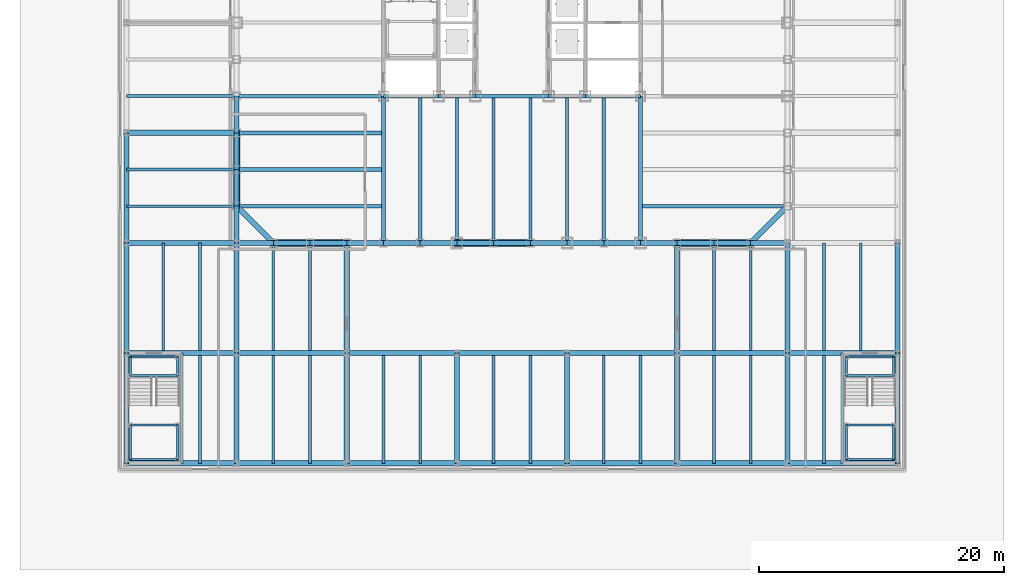
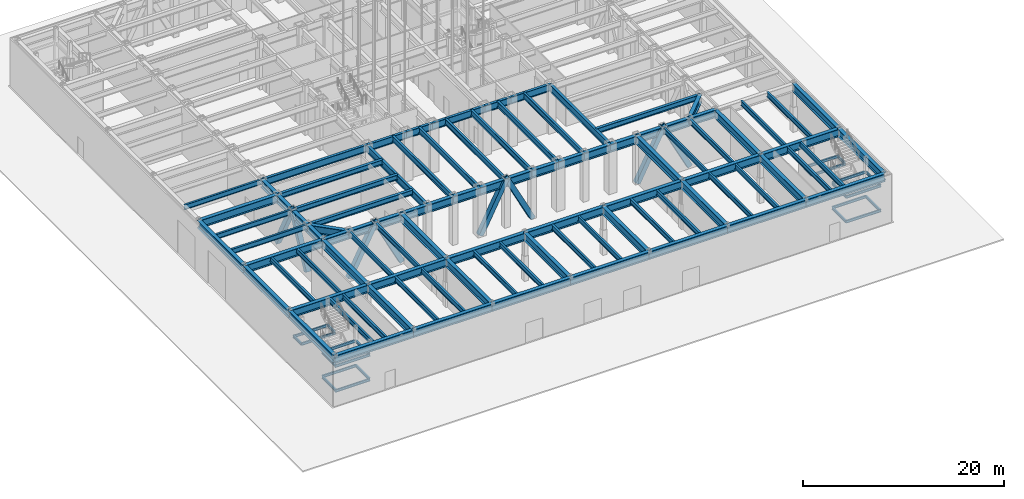
# One storey, part 3 of 35: 119 beams, 8 members.
"""IFC4 building model written with IfcOpenShell, lengths in metres."""

from ifc_helpers import new_model, si_unit, direction, frame, origin, origin_2d, place, context, subcontext, project, spatial, hollow_rectangle, i_section, extrude, material, material_profile, profile_set, type_object, element, save


model = new_model("IFC4")

# Units and contexts
model_context = context("Model", 3, precision=1e-05, world=origin(), true_north=direction((0.0, 1.0)))
body_context = subcontext(model_context, "Body", "Model", "MODEL_VIEW")
ifc_project = project(units=[si_unit("LENGTHUNIT", "METRE"), si_unit("AREAUNIT", "SQUARE_METRE"), si_unit("VOLUMEUNIT", "CUBIC_METRE"), si_unit("PLANEANGLEUNIT", "RADIAN"), si_unit("MASSUNIT", "GRAM", prefix="KILO")], contexts=[model_context])

# Site, building, storey
site_placement = place(None, origin())
site = spatial("IfcSite", under=ifc_project, at=site_placement, CompositionType="ELEMENT")
building_placement = place(site_placement, origin())
building = spatial("IfcBuilding", under=site, at=building_placement, Name="Chuquiago Exchange Tower", CompositionType="ELEMENT")
storey_placement = place(building_placement, origin())
storey = spatial("IfcBuildingStorey", under=building, at=storey_placement, Name="L00", CompositionType="ELEMENT", Elevation=0.0)

# Beams
ifc_material_1 = material(Name="Steel ASTM A992", Category="steel")
ifc_material_profile_1 = material_profile(ifc_material_1, i_section(OverallWidth=0.2919921875, OverallDepth=0.8583984375, WebThickness=0.01708984375, FlangeThickness=0.031005859375, at=origin_2d()), Name="W33X169")
ifc_profile_set_1 = profile_set([ifc_material_profile_1], Name="Steel ASTM A992")
beam_type_1 = type_object("IfcBeamType", Name="B3 W33X169", PredefinedType="BEAM", material=ifc_profile_set_1)
beam_1_placement = place(storey_placement, frame((12.0, 12.0, 5.37060546875), z_axis=(1.0, 0.0, 0.0), x_axis=(0.0, 1.0, 0.0)))
element("IfcBeam", 1, at=beam_1_placement, inside=storey, type_object=beam_type_1, Name="CB-L01-12_12-16.5_12", PredefinedType="BEAM", context=body_context, shape_type="SweptSolid", body=[
    extrude(i_section(OverallWidth=0.2919921875, OverallDepth=0.8583984375, WebThickness=0.01708984375, FlangeThickness=0.031005859375, at=origin_2d()), origin(), (0.0, 0.0, 1.0), 4.5),
])
beam_2_placement = place(storey_placement, frame((16.5, 12.0, 5.37060546875), z_axis=(1.0, 0.0, 0.0), x_axis=(0.0, 1.0, 0.0)))
element("IfcBeam", 2, at=beam_2_placement, inside=storey, type_object=beam_type_1, Name="CB-L01-16.5_12-19.5_12", PredefinedType="BEAM", context=body_context, shape_type="SweptSolid", body=[
    extrude(i_section(OverallWidth=0.2919921875, OverallDepth=0.8583984375, WebThickness=0.01708984375, FlangeThickness=0.031005859375, at=origin_2d()), origin(), (0.0, 0.0, 1.0), 3.0),
])
beam_3_placement = place(storey_placement, frame((19.5, 12.0, 5.37060546875), z_axis=(1.0, 0.0, 0.0), x_axis=(0.0, 1.0, 0.0)))
element("IfcBeam", 3, at=beam_3_placement, inside=storey, type_object=beam_type_1, Name="CB-L01-19.5_12-25.5_12", PredefinedType="BEAM", context=body_context, shape_type="SweptSolid", body=[
    extrude(i_section(OverallWidth=0.2919921875, OverallDepth=0.8583984375, WebThickness=0.01708984375, FlangeThickness=0.031005859375, at=origin_2d()), origin(), (0.0, 0.0, 1.0), 6.0),
])
beam_4_placement = place(storey_placement, frame((25.5, 12.0, 5.37060546875), z_axis=(1.0, 0.0, 0.0), x_axis=(0.0, 1.0, 0.0)))
element("IfcBeam", 4, at=beam_4_placement, inside=storey, type_object=beam_type_1, Name="CB-L01-25.5_12-28.5_12", PredefinedType="BEAM", context=body_context, shape_type="SweptSolid", body=[
    extrude(i_section(OverallWidth=0.2919921875, OverallDepth=0.8583984375, WebThickness=0.01708984375, FlangeThickness=0.031005859375, at=origin_2d()), origin(), (0.0, 0.0, 1.0), 3.0),
])
beam_5_placement = place(storey_placement, frame((28.5, 12.0, 5.37060546875), z_axis=(1.0, 0.0, 0.0), x_axis=(0.0, 1.0, 0.0)))
element("IfcBeam", 5, at=beam_5_placement, inside=storey, type_object=beam_type_1, Name="CB-L01-28.5_12-33_12", PredefinedType="BEAM", context=body_context, shape_type="SweptSolid", body=[
    extrude(i_section(OverallWidth=0.2919921875, OverallDepth=0.8583984375, WebThickness=0.01708984375, FlangeThickness=0.031005859375, at=origin_2d()), origin(), (0.0, 0.0, 1.0), 4.5),
])
ifc_material_2 = material(Name="Steel ASTM A992", Category="steel")
ifc_material_profile_2 = material_profile(ifc_material_2, i_section(OverallWidth=0.256591796875, OverallDepth=0.693359375, WebThickness=0.014404296875, FlangeThickness=0.023681640625, at=origin_2d()), Name="W27X114")
ifc_profile_set_2 = profile_set([ifc_material_profile_2], Name="Steel ASTM A992")
beam_type_2 = type_object("IfcBeamType", Name="B4 W27X114", PredefinedType="BEAM", material=ifc_profile_set_2)
for number, where, z_axis, x_axis, name in (
    (6, (15.0, 12.0, 5.453369140625), (0.0, -1.0, 0.0), (1.0, 0.0, 0.0), "FB-L01-infill-15_12-15_-0-0"),
    (7, (18.0, 12.0, 5.453369140625), (0.0, -1.0, 0.0), (1.0, 0.0, 0.0), "FB-L01-infill-18_12-18_-0-0"),
    (8, (21.0, 12.0, 5.453369140625), (0.0, -1.0, 0.0), (1.0, 0.0, 0.0), "FB-L01-infill-21_12-21_-0-0"),
    (9, (24.0, 12.0, 5.453369140625), (0.0, -1.0, 0.0), (1.0, 0.0, 0.0), "FB-L01-infill-24_12-24_-0-0"),
    (10, (27.0, 12.0, 5.453369140625), (0.0, -1.0, 0.0), (1.0, 0.0, 0.0), "FB-L01-infill-27_12-27_-0-0"),
    (11, (30.0, 12.0, 5.453369140625), (0.0, -1.0, 0.0), (1.0, 0.0, 0.0), "FB-L01-infill-30_12-30_-0-0"),
):
    element("IfcBeam", number, at=place(storey_placement, frame(where, z_axis=z_axis, x_axis=x_axis)), inside=storey, type_object=beam_type_2, Name=name, PredefinedType="BEAM", context=body_context, shape_type="SweptSolid", body=[
        extrude(i_section(OverallWidth=0.256591796875, OverallDepth=0.693359375, WebThickness=0.014404296875, FlangeThickness=0.023681640625, at=origin_2d()), origin(), (0.0, 0.0, 1.0), 12.0),
    ])
ifc_material_3 = material(Name="Steel ASTM A992", Category="steel")
ifc_material_profile_3 = material_profile(ifc_material_3, i_section(OverallWidth=0.3251953125, OverallDepth=0.6171875, WebThickness=0.013916015625, FlangeThickness=0.021484375, at=origin_2d()), Name="W24X117")
ifc_profile_set_3 = profile_set([ifc_material_profile_3], Name="Steel ASTM A992")
beam_type_3 = type_object("IfcBeamType", Name="B5 W24X117", PredefinedType="BEAM", material=ifc_profile_set_3)
for number, where, z_axis, x_axis, name in (
    (12, (12.0, 3.0, 5.491455078125), (-1.0, 0.0, 0.0), (0.0, -1.0, 0.0), "FB-L01-corner-12_3--0_3-0"),
    (13, (12.0, 6.0, 5.491455078125), (-1.0, 0.0, 0.0), (0.0, -1.0, 0.0), "FB-L01-corner-12_6--0_6-0"),
    (14, (12.0, 9.0, 5.491455078125), (-1.0, 0.0, 0.0), (0.0, -1.0, 0.0), "FB-L01-corner-12_9--0_9-0"),
    (15, (33.0, 3.0, 5.491455078125), (1.0, 0.0, 0.0), (0.0, 1.0, 0.0), "FB-L01-corner-33_3-45_3-0"),
):
    element("IfcBeam", number, at=place(storey_placement, frame(where, z_axis=z_axis, x_axis=x_axis)), inside=storey, type_object=beam_type_3, Name=name, PredefinedType="BEAM", context=body_context, shape_type="SweptSolid", body=[
        extrude(i_section(OverallWidth=0.3251953125, OverallDepth=0.6171875, WebThickness=0.013916015625, FlangeThickness=0.021484375, at=origin_2d()), origin(), (0.0, 0.0, 1.0), 12.0),
    ])
ifc_material_4 = material(Name="Steel ASTM A992", Category="steel")
ifc_material_profile_4 = material_profile(ifc_material_4, i_section(OverallWidth=0.2919921875, OverallDepth=0.8583984375, WebThickness=0.01708984375, FlangeThickness=0.031005859375, at=origin_2d()), Name="W33X169")
ifc_profile_set_4 = profile_set([ifc_material_profile_4], Name="Steel ASTM A992")
beam_type_4 = type_object("IfcBeamType", Name="G2 W33X169", PredefinedType="BEAM", material=ifc_profile_set_4)
for number, where, z_axis, x_axis, name in (
    (16, (12.0, 12.0, 5.37060546875), (0.0, -1.0, 0.0), (1.0, 0.0, 0.0), "FB-L01-girder-12_12-12_-0-0"),
    (17, (33.0, 12.0, 5.37060546875), (0.0, -1.0, 0.0), (1.0, 0.0, 0.0), "FB-L01-girder-33_12-33_-0-0"),
    (18, (12.0, 12.0, 5.37060546875), (-1.0, 0.0, 0.0), (0.0, -1.0, 0.0), "FB-L01-girder-12_12--0_12-0"),
):
    element("IfcBeam", number, at=place(storey_placement, frame(where, z_axis=z_axis, x_axis=x_axis)), inside=storey, type_object=beam_type_4, Name=name, PredefinedType="BEAM", context=body_context, shape_type="SweptSolid", body=[
        extrude(i_section(OverallWidth=0.2919921875, OverallDepth=0.8583984375, WebThickness=0.01708984375, FlangeThickness=0.031005859375, at=origin_2d()), origin(), (0.0, 0.0, 1.0), 12.0),
    ])
ifc_material_5 = material(Name="Steel ASTM A992", Category="steel")
ifc_material_profile_5 = material_profile(ifc_material_5, i_section(OverallWidth=0.164794921875, OverallDepth=0.309814453125, WebThickness=0.005859375, FlangeThickness=0.009765625, at=origin_2d()), Name="W12X26")
ifc_profile_set_5 = profile_set([ifc_material_profile_5], Name="Steel ASTM A992")
beam_type_5 = type_object("IfcBeamType", Name="LS1 W12X26", PredefinedType="BEAM", material=ifc_profile_set_5)
for number, where, z_axis, x_axis, name in (
    (19, (-8.68994140625, -17.68994140625, 1.14501953125), (0.0, 1.0, 0.0), (-1.0, 0.0, 0.0), "Stair PS1 L00 landing 1 stringer"),
    (20, (-4.81005859375, -17.68994140625, 1.14501953125), (0.0, 1.0, 0.0), (-1.0, 0.0, 0.0), "Stair PS1 L00 landing 1 stringer"),
):
    element("IfcBeam", number, at=place(storey_placement, frame(where, z_axis=z_axis, x_axis=x_axis)), inside=storey, type_object=beam_type_5, Name=name, PredefinedType="BEAM", context=body_context, shape_type="SweptSolid", body=[
        extrude(i_section(OverallWidth=0.164794921875, OverallDepth=0.309814453125, WebThickness=0.005859375, FlangeThickness=0.009765625, at=origin_2d()), origin(), (0.0, 0.0, 1.0), 2.800048828125),
    ])
for number, where, z_axis, x_axis, name in (
    (21, (-8.68994140625, -10.85009765625, 2.64501953125), (0.0, 1.0, 0.0), (-1.0, 0.0, 0.0), "Stair PS1 L00 landing 2 stringer"),
    (22, (-4.81005859375, -10.85009765625, 2.64501953125), (0.0, 1.0, 0.0), (-1.0, 0.0, 0.0), "Stair PS1 L00 landing 2 stringer"),
):
    element("IfcBeam", number, at=place(storey_placement, frame(where, z_axis=z_axis, x_axis=x_axis)), inside=storey, type_object=beam_type_5, Name=name, PredefinedType="BEAM", context=body_context, shape_type="SweptSolid", body=[
        extrude(i_section(OverallWidth=0.164794921875, OverallDepth=0.309814453125, WebThickness=0.005859375, FlangeThickness=0.009765625, at=origin_2d()), origin(), (0.0, 0.0, 1.0), 1.5400390625),
    ])
for number, where, z_axis, x_axis, name in (
    (23, (-8.68994140625, -17.68994140625, 4.14501953125), (0.0, 1.0, 0.0), (-1.0, 0.0, 0.0), "Stair PS1 L00 landing 3 stringer"),
    (24, (-4.81005859375, -17.68994140625, 4.14501953125), (0.0, 1.0, 0.0), (-1.0, 0.0, 0.0), "Stair PS1 L00 landing 3 stringer"),
    (25, (49.81005859375, -17.68994140625, 1.14501953125), (0.0, 1.0, 0.0), (-1.0, 0.0, 0.0), "Stair PS2 L00 landing 1 stringer"),
    (26, (53.68994140625, -17.68994140625, 1.14501953125), (0.0, 1.0, 0.0), (-1.0, 0.0, 0.0), "Stair PS2 L00 landing 1 stringer"),
):
    element("IfcBeam", number, at=place(storey_placement, frame(where, z_axis=z_axis, x_axis=x_axis)), inside=storey, type_object=beam_type_5, Name=name, PredefinedType="BEAM", context=body_context, shape_type="SweptSolid", body=[
        extrude(i_section(OverallWidth=0.164794921875, OverallDepth=0.309814453125, WebThickness=0.005859375, FlangeThickness=0.009765625, at=origin_2d()), origin(), (0.0, 0.0, 1.0), 2.800048828125),
    ])
for number, where, z_axis, x_axis, name in (
    (27, (49.81005859375, -10.85009765625, 2.64501953125), (0.0, 1.0, 0.0), (-1.0, 0.0, 0.0), "Stair PS2 L00 landing 2 stringer"),
    (28, (53.68994140625, -10.85009765625, 2.64501953125), (0.0, 1.0, 0.0), (-1.0, 0.0, 0.0), "Stair PS2 L00 landing 2 stringer"),
):
    element("IfcBeam", number, at=place(storey_placement, frame(where, z_axis=z_axis, x_axis=x_axis)), inside=storey, type_object=beam_type_5, Name=name, PredefinedType="BEAM", context=body_context, shape_type="SweptSolid", body=[
        extrude(i_section(OverallWidth=0.164794921875, OverallDepth=0.309814453125, WebThickness=0.005859375, FlangeThickness=0.009765625, at=origin_2d()), origin(), (0.0, 0.0, 1.0), 1.5400390625),
    ])
for number, where, z_axis, x_axis, name in (
    (29, (49.81005859375, -17.68994140625, 4.14501953125), (0.0, 1.0, 0.0), (-1.0, 0.0, 0.0), "Stair PS2 L00 landing 3 stringer"),
    (30, (53.68994140625, -17.68994140625, 4.14501953125), (0.0, 1.0, 0.0), (-1.0, 0.0, 0.0), "Stair PS2 L00 landing 3 stringer"),
):
    element("IfcBeam", number, at=place(storey_placement, frame(where, z_axis=z_axis, x_axis=x_axis)), inside=storey, type_object=beam_type_5, Name=name, PredefinedType="BEAM", context=body_context, shape_type="SweptSolid", body=[
        extrude(i_section(OverallWidth=0.164794921875, OverallDepth=0.309814453125, WebThickness=0.005859375, FlangeThickness=0.009765625, at=origin_2d()), origin(), (0.0, 0.0, 1.0), 2.800048828125),
    ])
ifc_material_6 = material(Name="Steel ASTM A992", Category="steel")
ifc_material_profile_6 = material_profile(ifc_material_6, i_section(OverallWidth=0.164794921875, OverallDepth=0.309814453125, WebThickness=0.005859375, FlangeThickness=0.009765625, at=origin_2d()), Name="W12X26")
ifc_profile_set_6 = profile_set([ifc_material_profile_6], Name="Steel ASTM A992")
beam_type_6 = type_object("IfcBeamType", Name="LT1 W12X26", PredefinedType="BEAM", material=ifc_profile_set_6)
beam_6_placement = place(storey_placement, frame((-8.814208984375, -17.68994140625, 1.14501953125), z_axis=(1.0, 0.0, 0.0), x_axis=(0.0, 1.0, 0.0)))
element("IfcBeam", 31, at=beam_6_placement, inside=storey, type_object=beam_type_6, Name="Stair PS1 L00 landing 1 trimmer", PredefinedType="BEAM", context=body_context, shape_type="SweptSolid", body=[
    extrude(i_section(OverallWidth=0.164794921875, OverallDepth=0.309814453125, WebThickness=0.005859375, FlangeThickness=0.009765625, at=origin_2d()), origin(), (0.0, 0.0, 1.0), 4.004150390625),
])
for number, where, z_axis, x_axis, name in (
    (32, (-8.68994140625, -14.889892578125, 1.14501953125), (1.0, 0.0, 0.0), (0.0, 1.0, 0.0), "Stair PS1 L00 landing 1 trimmer"),
    (33, (-8.68994140625, -10.85009765625, 2.64501953125), (1.0, 0.0, 0.0), (0.0, 1.0, 0.0), "Stair PS1 L00 landing 2 trimmer"),
):
    element("IfcBeam", number, at=place(storey_placement, frame(where, z_axis=z_axis, x_axis=x_axis)), inside=storey, type_object=beam_type_6, Name=name, PredefinedType="BEAM", context=body_context, shape_type="SweptSolid", body=[
        extrude(i_section(OverallWidth=0.164794921875, OverallDepth=0.309814453125, WebThickness=0.005859375, FlangeThickness=0.009765625, at=origin_2d()), origin(), (0.0, 0.0, 1.0), 3.8798828125),
    ])
for number, where, z_axis, x_axis, name in (
    (34, (-8.814208984375, -9.31005859375, 2.64501953125), (1.0, 0.0, 0.0), (0.0, 1.0, 0.0), "Stair PS1 L00 landing 2 trimmer"),
    (35, (-8.814208984375, -17.68994140625, 4.14501953125), (1.0, 0.0, 0.0), (0.0, 1.0, 0.0), "Stair PS1 L00 landing 3 trimmer"),
):
    element("IfcBeam", number, at=place(storey_placement, frame(where, z_axis=z_axis, x_axis=x_axis)), inside=storey, type_object=beam_type_6, Name=name, PredefinedType="BEAM", context=body_context, shape_type="SweptSolid", body=[
        extrude(i_section(OverallWidth=0.164794921875, OverallDepth=0.309814453125, WebThickness=0.005859375, FlangeThickness=0.009765625, at=origin_2d()), origin(), (0.0, 0.0, 1.0), 4.004150390625),
    ])
beam_7_placement = place(storey_placement, frame((-8.68994140625, -14.889892578125, 4.14501953125), z_axis=(1.0, 0.0, 0.0), x_axis=(0.0, 1.0, 0.0)))
element("IfcBeam", 36, at=beam_7_placement, inside=storey, type_object=beam_type_6, Name="Stair PS1 L00 landing 3 trimmer", PredefinedType="BEAM", context=body_context, shape_type="SweptSolid", body=[
    extrude(i_section(OverallWidth=0.164794921875, OverallDepth=0.309814453125, WebThickness=0.005859375, FlangeThickness=0.009765625, at=origin_2d()), origin(), (0.0, 0.0, 1.0), 3.8798828125),
])
beam_8_placement = place(storey_placement, frame((49.81005859375, -17.68994140625, 1.14501953125), z_axis=(1.0, 0.0, 0.0), x_axis=(0.0, 1.0, 0.0)))
element("IfcBeam", 37, at=beam_8_placement, inside=storey, type_object=beam_type_6, Name="Stair PS2 L00 landing 1 trimmer", PredefinedType="BEAM", context=body_context, shape_type="SweptSolid", body=[
    extrude(i_section(OverallWidth=0.164794921875, OverallDepth=0.309814453125, WebThickness=0.005859375, FlangeThickness=0.009765625, at=origin_2d()), origin(), (0.0, 0.0, 1.0), 4.004150390625),
])
for number, where, z_axis, x_axis, name in (
    (38, (49.81005859375, -14.889892578125, 1.14501953125), (1.0, 0.0, 0.0), (0.0, 1.0, 0.0), "Stair PS2 L00 landing 1 trimmer"),
    (39, (49.81005859375, -10.85009765625, 2.64501953125), (1.0, 0.0, 0.0), (0.0, 1.0, 0.0), "Stair PS2 L00 landing 2 trimmer"),
):
    element("IfcBeam", number, at=place(storey_placement, frame(where, z_axis=z_axis, x_axis=x_axis)), inside=storey, type_object=beam_type_6, Name=name, PredefinedType="BEAM", context=body_context, shape_type="SweptSolid", body=[
        extrude(i_section(OverallWidth=0.164794921875, OverallDepth=0.309814453125, WebThickness=0.005859375, FlangeThickness=0.009765625, at=origin_2d()), origin(), (0.0, 0.0, 1.0), 3.8798828125),
    ])
for number, where, z_axis, x_axis, name in (
    (40, (49.81005859375, -9.31005859375, 2.64501953125), (1.0, 0.0, 0.0), (0.0, 1.0, 0.0), "Stair PS2 L00 landing 2 trimmer"),
    (41, (49.81005859375, -17.68994140625, 4.14501953125), (1.0, 0.0, 0.0), (0.0, 1.0, 0.0), "Stair PS2 L00 landing 3 trimmer"),
):
    element("IfcBeam", number, at=place(storey_placement, frame(where, z_axis=z_axis, x_axis=x_axis)), inside=storey, type_object=beam_type_6, Name=name, PredefinedType="BEAM", context=body_context, shape_type="SweptSolid", body=[
        extrude(i_section(OverallWidth=0.164794921875, OverallDepth=0.309814453125, WebThickness=0.005859375, FlangeThickness=0.009765625, at=origin_2d()), origin(), (0.0, 0.0, 1.0), 4.004150390625),
    ])
beam_9_placement = place(storey_placement, frame((49.81005859375, -14.889892578125, 4.14501953125), z_axis=(1.0, 0.0, 0.0), x_axis=(0.0, 1.0, 0.0)))
element("IfcBeam", 42, at=beam_9_placement, inside=storey, type_object=beam_type_6, Name="Stair PS2 L00 landing 3 trimmer", PredefinedType="BEAM", context=body_context, shape_type="SweptSolid", body=[
    extrude(i_section(OverallWidth=0.164794921875, OverallDepth=0.309814453125, WebThickness=0.005859375, FlangeThickness=0.009765625, at=origin_2d()), origin(), (0.0, 0.0, 1.0), 3.8798828125),
])

# Members
ifc_material_7 = material(Name="Steel ASTM A572 Grade 50", Category="steel")
ifc_material_profile_7 = material_profile(ifc_material_7, hollow_rectangle(XDim=0.550048828125, YDim=0.550048828125, WallThickness=0.044921875, at=origin_2d()), Name="BOX550X550X45")
ifc_profile_set_7 = profile_set([ifc_material_profile_7], Name="Steel ASTM A572 Grade 50")
member_type = type_object("IfcMemberType", Name="MB1 BOX550X550X45", PredefinedType="BRACE", material=ifc_profile_set_7)
for number, where, z_axis, x_axis, name in (
    (43, (3.0, 0.0, 0.0), (0.456929540486, 0.0, 0.889502892087), (0.0, 1.0, 0.0), "Mega diagonal L00 S face"),
    (44, (9.0, 0.0, 0.0), (-0.456929540486, 0.0, 0.889502892087), (0.0, -1.0, 0.0), "Mega diagonal L00 S face"),
    (45, (18.0, 0.0, 0.0), (0.456929540486, 0.0, 0.889502892087), (0.0, 1.0, 0.0), "Mega diagonal L00 S face"),
    (46, (24.0, 0.0, 0.0), (-0.456929540486, 0.0, 0.889502892087), (0.0, -1.0, 0.0), "Mega diagonal L00 S face"),
    (47, (36.0, 0.0, 0.0), (0.456929540486, 0.0, 0.889502892087), (0.0, 1.0, 0.0), "Mega diagonal L00 S face"),
    (48, (42.0, 0.0, 0.0), (-0.456929540486, 0.0, 0.889502892087), (0.0, -1.0, 0.0), "Mega diagonal L00 S face"),
    (49, (0.0, 9.0, 0.0), (0.0, -0.456929540486, 0.889502892087), (1.0, 0.0, 0.0), "Mega diagonal L00 W face"),
    (50, (0.0, 3.0, 0.0), (0.0, 0.456929540486, 0.889502892087), (-1.0, 0.0, 0.0), "Mega diagonal L00 W face"),
):
    element("IfcMember", number, at=place(storey_placement, frame(where, z_axis=z_axis, x_axis=x_axis)), inside=storey, type_object=member_type, Name=name, PredefinedType="BRACE", context=body_context, shape_type="SweptSolid", body=[
        extrude(hollow_rectangle(XDim=0.550048828125, YDim=0.550048828125, WallThickness=0.044921875, at=origin_2d()), origin(), (0.0, 0.0, 1.0), 6.565673828125),
    ])

# Beams
ifc_material_8 = material(Name="Steel ASTM A992", Category="steel")
ifc_material_profile_8 = material_profile(ifc_material_8, i_section(OverallWidth=0.227783203125, OverallDepth=0.60205078125, WebThickness=0.010498046875, FlangeThickness=0.014892578125, at=origin_2d()), Name="W24X68")
ifc_profile_set_8 = profile_set([ifc_material_profile_8], Name="Steel ASTM A992")
beam_type_7 = type_object("IfcBeamType", Name="PB1 W24X68", PredefinedType="BEAM", material=ifc_profile_set_8)
for number, where, z_axis, x_axis, name in (
    (51, (-4.5, -18.0, 5.4990234375), (0.0, 1.0, 0.0), (-1.0, 0.0, 0.0), "PT-L01-PS1"),
    (52, (49.5, -18.0, 5.4990234375), (0.0, 1.0, 0.0), (-1.0, 0.0, 0.0), "PT-L01-PS2"),
):
    element("IfcBeam", number, at=place(storey_placement, frame(where, z_axis=z_axis, x_axis=x_axis)), inside=storey, type_object=beam_type_7, Name=name, PredefinedType="BEAM", context=body_context, shape_type="SweptSolid", body=[
        extrude(i_section(OverallWidth=0.227783203125, OverallDepth=0.60205078125, WebThickness=0.010498046875, FlangeThickness=0.014892578125, at=origin_2d()), origin(), (0.0, 0.0, 1.0), 9.0),
    ])
for number, where, z_axis, x_axis, name in (
    (53, (-6.0, -8.787841796875, 5.4990234375), (0.0, 1.0, 0.0), (-1.0, 0.0, 0.0), "PB-L01--6_-9"),
    (54, (-3.0, -18.0, 5.4990234375), (0.0, 1.0, 0.0), (-1.0, 0.0, 0.0), "PB-L01--3_-18"),
    (55, (-3.0, -8.787841796875, 5.4990234375), (0.0, 1.0, 0.0), (-1.0, 0.0, 0.0), "PB-L01--3_-9"),
    (56, (3.0, -18.0, 5.4990234375), (0.0, 1.0, 0.0), (-1.0, 0.0, 0.0), "PB-L01-3_-18"),
    (57, (3.0, -8.787841796875, 5.4990234375), (0.0, 1.0, 0.0), (-1.0, 0.0, 0.0), "PB-L01-3_-9"),
    (58, (6.0, -18.0, 5.4990234375), (0.0, 1.0, 0.0), (-1.0, 0.0, 0.0), "PB-L01-6_-18"),
    (59, (6.0, -8.787841796875, 5.4990234375), (0.0, 1.0, 0.0), (-1.0, 0.0, 0.0), "PB-L01-6_-9"),
    (60, (12.0, -18.0, 5.4990234375), (0.0, 1.0, 0.0), (-1.0, 0.0, 0.0), "PB-L01-12_-18"),
    (61, (15.0, -18.0, 5.4990234375), (0.0, 1.0, 0.0), (-1.0, 0.0, 0.0), "PB-L01-15_-18"),
    (62, (21.0, -18.0, 5.4990234375), (0.0, 1.0, 0.0), (-1.0, 0.0, 0.0), "PB-L01-21_-18"),
    (63, (24.0, -18.0, 5.4990234375), (0.0, 1.0, 0.0), (-1.0, 0.0, 0.0), "PB-L01-24_-18"),
    (64, (30.0, -18.0, 5.4990234375), (0.0, 1.0, 0.0), (-1.0, 0.0, 0.0), "PB-L01-30_-18"),
    (65, (33.0, -18.0, 5.4990234375), (0.0, 1.0, 0.0), (-1.0, 0.0, 0.0), "PB-L01-33_-18"),
    (66, (39.0, -18.0, 5.4990234375), (0.0, 1.0, 0.0), (-1.0, 0.0, 0.0), "PB-L01-39_-18"),
    (67, (39.0, -8.787841796875, 5.4990234375), (0.0, 1.0, 0.0), (-1.0, 0.0, 0.0), "PB-L01-39_-9"),
    (68, (42.0, -18.0, 5.4990234375), (0.0, 1.0, 0.0), (-1.0, 0.0, 0.0), "PB-L01-42_-18"),
    (69, (42.0, -8.787841796875, 5.4990234375), (0.0, 1.0, 0.0), (-1.0, 0.0, 0.0), "PB-L01-42_-9"),
    (70, (48.0, -18.0, 5.4990234375), (0.0, 1.0, 0.0), (-1.0, 0.0, 0.0), "PB-L01-48_-18"),
    (71, (48.0, -8.787841796875, 5.4990234375), (0.0, 1.0, 0.0), (-1.0, 0.0, 0.0), "PB-L01-48_-9"),
    (72, (51.0, -8.787841796875, 5.4990234375), (0.0, 1.0, 0.0), (-1.0, 0.0, 0.0), "PB-L01-51_-9"),
):
    element("IfcBeam", number, at=place(storey_placement, frame(where, z_axis=z_axis, x_axis=x_axis)), inside=storey, type_object=beam_type_7, Name=name, PredefinedType="BEAM", context=body_context, shape_type="SweptSolid", body=[
        extrude(i_section(OverallWidth=0.227783203125, OverallDepth=0.60205078125, WebThickness=0.010498046875, FlangeThickness=0.014892578125, at=origin_2d()), origin(), (0.0, 0.0, 1.0), 8.787841796875),
    ])
for number, where, z_axis, x_axis, name in (
    (73, (-9.0, 3.0, 5.4990234375), (1.0, 0.0, 0.0), (0.0, 1.0, 0.0), "PB-L01--9_3"),
    (74, (-9.0, 6.0, 5.4990234375), (1.0, 0.0, 0.0), (0.0, 1.0, 0.0), "PB-L01--9_6"),
    (75, (-9.0, 12.0, 5.4990234375), (1.0, 0.0, 0.0), (0.0, 1.0, 0.0), "PB-L01--9_12"),
):
    element("IfcBeam", number, at=place(storey_placement, frame(where, z_axis=z_axis, x_axis=x_axis)), inside=storey, type_object=beam_type_7, Name=name, PredefinedType="BEAM", context=body_context, shape_type="SweptSolid", body=[
        extrude(i_section(OverallWidth=0.227783203125, OverallDepth=0.60205078125, WebThickness=0.010498046875, FlangeThickness=0.014892578125, at=origin_2d()), origin(), (0.0, 0.0, 1.0), 9.0),
    ])
ifc_material_9 = material(Name="Steel ASTM A992", Category="steel")
ifc_material_profile_9 = material_profile(ifc_material_9, i_section(OverallWidth=0.424072265625, OverallDepth=0.947509765625, WebThickness=0.02392578125, FlangeThickness=0.042724609375, at=origin_2d()), Name="W36X302")
ifc_profile_set_9 = profile_set([ifc_material_profile_9], Name="Steel ASTM A992")
beam_type_8 = type_object("IfcBeamType", Name="PG1 W36X302", PredefinedType="BEAM", material=ifc_profile_set_9)
for number, where, z_axis, x_axis, name in (
    (76, (-9.0, -18.0, 5.326416015625), (0.0, 1.0, 0.0), (-1.0, 0.0, 0.0), "PG-L01--9_-18--9_-9"),
    (77, (-9.0, -9.0, 5.326416015625), (0.0, 1.0, 0.0), (-1.0, 0.0, 0.0), "PG-L01--9_-9--9_0"),
    (78, (-9.0, 0.0, 5.326416015625), (0.0, 1.0, 0.0), (-1.0, 0.0, 0.0), "PG-L01--9_0--9_9"),
    (79, (0.0, -18.0, 5.326416015625), (0.0, 1.0, 0.0), (-1.0, 0.0, 0.0), "PG-L01-0_-18-0_-9"),
    (80, (0.0, -9.0, 5.326416015625), (0.0, 1.0, 0.0), (-1.0, 0.0, 0.0), "PG-L01-0_-9-0_0"),
):
    element("IfcBeam", number, at=place(storey_placement, frame(where, z_axis=z_axis, x_axis=x_axis)), inside=storey, type_object=beam_type_8, Name=name, PredefinedType="BEAM", context=body_context, shape_type="SweptSolid", body=[
        extrude(i_section(OverallWidth=0.424072265625, OverallDepth=0.947509765625, WebThickness=0.02392578125, FlangeThickness=0.042724609375, at=origin_2d()), origin(), (0.0, 0.0, 1.0), 9.0),
    ])
beam_10_placement = place(storey_placement, frame((0.0, 0.0, 5.326416015625), z_axis=(0.0, 1.0, 0.0), x_axis=(-1.0, 0.0, 0.0)))
element("IfcBeam", 81, at=beam_10_placement, inside=storey, type_object=beam_type_8, Name="PG-L01-0_0-0_3", PredefinedType="BEAM", context=body_context, shape_type="SweptSolid", body=[
    extrude(i_section(OverallWidth=0.424072265625, OverallDepth=0.947509765625, WebThickness=0.02392578125, FlangeThickness=0.042724609375, at=origin_2d()), origin(), (0.0, 0.0, 1.0), 3.0),
])
for number, where, z_axis, x_axis, name in (
    (82, (9.0, -18.0, 5.326416015625), (0.0, 1.0, 0.0), (-1.0, 0.0, 0.0), "PG-L01-9_-18-9_-9"),
    (83, (9.0, -9.0, 5.326416015625), (0.0, 1.0, 0.0), (-1.0, 0.0, 0.0), "PG-L01-9_-9-9_0"),
    (84, (18.0, -18.0, 5.326416015625), (0.0, 1.0, 0.0), (-1.0, 0.0, 0.0), "PG-L01-18_-18-18_-9"),
    (85, (27.0, -18.0, 5.326416015625), (0.0, 1.0, 0.0), (-1.0, 0.0, 0.0), "PG-L01-27_-18-27_-9"),
    (86, (36.0, -18.0, 5.326416015625), (0.0, 1.0, 0.0), (-1.0, 0.0, 0.0), "PG-L01-36_-18-36_-9"),
    (87, (36.0, -9.0, 5.326416015625), (0.0, 1.0, 0.0), (-1.0, 0.0, 0.0), "PG-L01-36_-9-36_0"),
    (88, (45.0, -18.0, 5.326416015625), (0.0, 1.0, 0.0), (-1.0, 0.0, 0.0), "PG-L01-45_-18-45_-9"),
    (89, (45.0, -9.0, 5.326416015625), (0.0, 1.0, 0.0), (-1.0, 0.0, 0.0), "PG-L01-45_-9-45_0"),
    (90, (54.0, -18.0, 5.326416015625), (0.0, 1.0, 0.0), (-1.0, 0.0, 0.0), "PG-L01-54_-18-54_-9"),
    (91, (54.0, -9.0, 5.326416015625), (0.0, 1.0, 0.0), (-1.0, 0.0, 0.0), "PG-L01-54_-9-54_0"),
    (92, (-9.0, -18.0, 5.326416015625), (1.0, 0.0, 0.0), (0.0, 1.0, 0.0), "PG-L01--9_-18-0_-18"),
    (93, (0.0, -18.0, 5.326416015625), (1.0, 0.0, 0.0), (0.0, 1.0, 0.0), "PG-L01-0_-18-9_-18"),
    (94, (9.0, -18.0, 5.326416015625), (1.0, 0.0, 0.0), (0.0, 1.0, 0.0), "PG-L01-9_-18-18_-18"),
    (95, (18.0, -18.0, 5.326416015625), (1.0, 0.0, 0.0), (0.0, 1.0, 0.0), "PG-L01-18_-18-27_-18"),
    (96, (27.0, -18.0, 5.326416015625), (1.0, 0.0, 0.0), (0.0, 1.0, 0.0), "PG-L01-27_-18-36_-18"),
    (97, (36.0, -18.0, 5.326416015625), (1.0, 0.0, 0.0), (0.0, 1.0, 0.0), "PG-L01-36_-18-45_-18"),
    (98, (45.0, -18.0, 5.326416015625), (1.0, 0.0, 0.0), (0.0, 1.0, 0.0), "PG-L01-45_-18-54_-18"),
    (99, (-9.0, -9.0, 5.326416015625), (1.0, 0.0, 0.0), (0.0, 1.0, 0.0), "PG-L01--9_-9-0_-9"),
    (100, (0.0, -9.0, 5.326416015625), (1.0, 0.0, 0.0), (0.0, 1.0, 0.0), "PG-L01-0_-9-9_-9"),
    (101, (9.0, -9.0, 5.326416015625), (1.0, 0.0, 0.0), (0.0, 1.0, 0.0), "PG-L01-9_-9-18_-9"),
    (102, (18.0, -9.0, 5.326416015625), (1.0, 0.0, 0.0), (0.0, 1.0, 0.0), "PG-L01-18_-9-27_-9"),
    (103, (27.0, -9.0, 5.326416015625), (1.0, 0.0, 0.0), (0.0, 1.0, 0.0), "PG-L01-27_-9-36_-9"),
    (104, (36.0, -9.0, 5.326416015625), (1.0, 0.0, 0.0), (0.0, 1.0, 0.0), "PG-L01-36_-9-45_-9"),
    (105, (45.0, -9.0, 5.326416015625), (1.0, 0.0, 0.0), (0.0, 1.0, 0.0), "PG-L01-45_-9-54_-9"),
    (106, (-9.0, 0.0, 5.326416015625), (1.0, 0.0, 0.0), (0.0, 1.0, 0.0), "PG-L01--9_0-0_0"),
):
    element("IfcBeam", number, at=place(storey_placement, frame(where, z_axis=z_axis, x_axis=x_axis)), inside=storey, type_object=beam_type_8, Name=name, PredefinedType="BEAM", context=body_context, shape_type="SweptSolid", body=[
        extrude(i_section(OverallWidth=0.424072265625, OverallDepth=0.947509765625, WebThickness=0.02392578125, FlangeThickness=0.042724609375, at=origin_2d()), origin(), (0.0, 0.0, 1.0), 9.0),
    ])
for number, where, z_axis, x_axis, name in (
    (107, (0.0, 0.0, 5.326416015625), (1.0, 0.0, 0.0), (0.0, 1.0, 0.0), "PG-L01-0_0-3_0"),
    (108, (42.0, 0.0, 5.326416015625), (1.0, 0.0, 0.0), (0.0, 1.0, 0.0), "PG-L01-42_0-45_0"),
):
    element("IfcBeam", number, at=place(storey_placement, frame(where, z_axis=z_axis, x_axis=x_axis)), inside=storey, type_object=beam_type_8, Name=name, PredefinedType="BEAM", context=body_context, shape_type="SweptSolid", body=[
        extrude(i_section(OverallWidth=0.424072265625, OverallDepth=0.947509765625, WebThickness=0.02392578125, FlangeThickness=0.042724609375, at=origin_2d()), origin(), (0.0, 0.0, 1.0), 3.0),
    ])
beam_11_placement = place(storey_placement, frame((-9.0, 9.0, 5.326416015625), z_axis=(1.0, 0.0, 0.0), x_axis=(0.0, 1.0, 0.0)))
element("IfcBeam", 109, at=beam_11_placement, inside=storey, type_object=beam_type_8, Name="PG-L01--9_9-0_9", PredefinedType="BEAM", context=body_context, shape_type="SweptSolid", body=[
    extrude(i_section(OverallWidth=0.424072265625, OverallDepth=0.947509765625, WebThickness=0.02392578125, FlangeThickness=0.042724609375, at=origin_2d()), origin(), (0.0, 0.0, 1.0), 9.0),
])
ifc_material_10 = material(Name="Steel ASTM A992", Category="steel")
ifc_material_profile_10 = material_profile(ifc_material_10, i_section(OverallWidth=0.4267578125, OverallDepth=0.95751953125, WebThickness=0.028564453125, FlangeThickness=0.050048828125, at=origin_2d()), Name="W36X361")
ifc_profile_set_10 = profile_set([ifc_material_profile_10], Name="Steel ASTM A992")
beam_type_9 = type_object("IfcBeamType", Name="SP1 W36X361", PredefinedType="SPANDREL", material=ifc_profile_set_10)
for number, where, z_axis, x_axis, name in (
    (110, (3.0, 0.0, 5.3212890625), (1.0, 0.0, 0.0), (0.0, 1.0, 0.0), "SPB-L01-3_0-6_0"),
    (111, (6.0, 0.0, 5.3212890625), (1.0, 0.0, 0.0), (0.0, 1.0, 0.0), "SPB-L01-6_0-9_0"),
    (112, (9.0, 0.0, 5.3212890625), (1.0, 0.0, 0.0), (0.0, 1.0, 0.0), "SPB-L01-9_0-12_0"),
    (113, (12.0, 0.0, 5.3212890625), (1.0, 0.0, 0.0), (0.0, 1.0, 0.0), "SPB-L01-12_0-15_0"),
    (114, (15.0, 0.0, 5.3212890625), (1.0, 0.0, 0.0), (0.0, 1.0, 0.0), "SPB-L01-15_0-18_0"),
    (115, (18.0, 0.0, 5.3212890625), (1.0, 0.0, 0.0), (0.0, 1.0, 0.0), "SPB-L01-18_0-21_0"),
    (116, (21.0, 0.0, 5.3212890625), (1.0, 0.0, 0.0), (0.0, 1.0, 0.0), "SPB-L01-21_0-24_0"),
    (117, (24.0, 0.0, 5.3212890625), (1.0, 0.0, 0.0), (0.0, 1.0, 0.0), "SPB-L01-24_0-27_0"),
    (118, (27.0, 0.0, 5.3212890625), (1.0, 0.0, 0.0), (0.0, 1.0, 0.0), "SPB-L01-27_0-30_0"),
    (119, (30.0, 0.0, 5.3212890625), (1.0, 0.0, 0.0), (0.0, 1.0, 0.0), "SPB-L01-30_0-33_0"),
    (120, (33.0, 0.0, 5.3212890625), (1.0, 0.0, 0.0), (0.0, 1.0, 0.0), "SPB-L01-33_0-36_0"),
    (121, (36.0, 0.0, 5.3212890625), (1.0, 0.0, 0.0), (0.0, 1.0, 0.0), "SPB-L01-36_0-39_0"),
    (122, (39.0, 0.0, 5.3212890625), (1.0, 0.0, 0.0), (0.0, 1.0, 0.0), "SPB-L01-39_0-42_0"),
):
    element("IfcBeam", number, at=place(storey_placement, frame(where, z_axis=z_axis, x_axis=x_axis)), inside=storey, type_object=beam_type_9, Name=name, PredefinedType="SPANDREL", context=body_context, shape_type="SweptSolid", body=[
        extrude(i_section(OverallWidth=0.4267578125, OverallDepth=0.95751953125, WebThickness=0.028564453125, FlangeThickness=0.050048828125, at=origin_2d()), origin(), (0.0, 0.0, 1.0), 3.0),
    ])
beam_12_placement = place(storey_placement, frame((42.0, 0.0, 5.3212890625), z_axis=(0.707106781187, 0.707106781187, 0.0), x_axis=(-0.707106781187, 0.707106781187, 0.0)))
element("IfcBeam", 123, at=beam_12_placement, inside=storey, type_object=beam_type_9, Name="SPB-L01-42_0-45_3", PredefinedType="SPANDREL", context=body_context, shape_type="SweptSolid", body=[
    extrude(i_section(OverallWidth=0.4267578125, OverallDepth=0.95751953125, WebThickness=0.028564453125, FlangeThickness=0.050048828125, at=origin_2d()), origin(), (0.0, 0.0, 1.0), 4.24267578125),
])
for number, where, z_axis, x_axis, name in (
    (124, (0.0, 12.0, 5.3212890625), (0.0, -1.0, 0.0), (1.0, 0.0, 0.0), "SPB-L01-0_12-0_9"),
    (125, (0.0, 9.0, 5.3212890625), (0.0, -1.0, 0.0), (1.0, 0.0, 0.0), "SPB-L01-0_9-0_6"),
    (126, (0.0, 6.0, 5.3212890625), (0.0, -1.0, 0.0), (1.0, 0.0, 0.0), "SPB-L01-0_6-0_3"),
):
    element("IfcBeam", number, at=place(storey_placement, frame(where, z_axis=z_axis, x_axis=x_axis)), inside=storey, type_object=beam_type_9, Name=name, PredefinedType="SPANDREL", context=body_context, shape_type="SweptSolid", body=[
        extrude(i_section(OverallWidth=0.4267578125, OverallDepth=0.95751953125, WebThickness=0.028564453125, FlangeThickness=0.050048828125, at=origin_2d()), origin(), (0.0, 0.0, 1.0), 3.0),
    ])
beam_13_placement = place(storey_placement, frame((0.0, 3.0, 5.3212890625), z_axis=(0.707106781187, -0.707106781187, 0.0), x_axis=(0.707106781187, 0.707106781187, 0.0)))
element("IfcBeam", 127, at=beam_13_placement, inside=storey, type_object=beam_type_9, Name="SPB-L01-0_3-3_0", PredefinedType="SPANDREL", context=body_context, shape_type="SweptSolid", body=[
    extrude(i_section(OverallWidth=0.4267578125, OverallDepth=0.95751953125, WebThickness=0.028564453125, FlangeThickness=0.050048828125, at=origin_2d()), origin(), (0.0, 0.0, 1.0), 4.24267578125),
])

save(model, "model.ifc")
